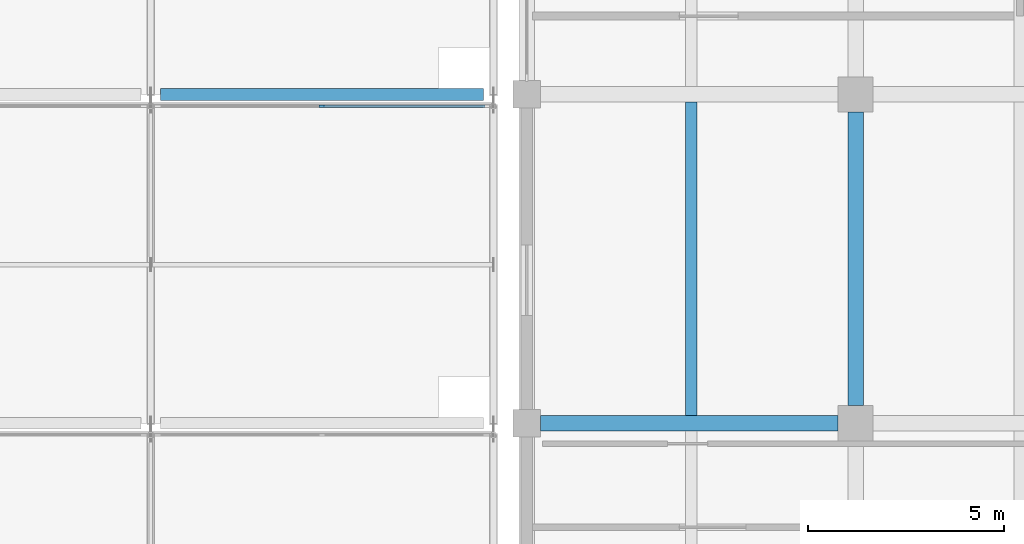
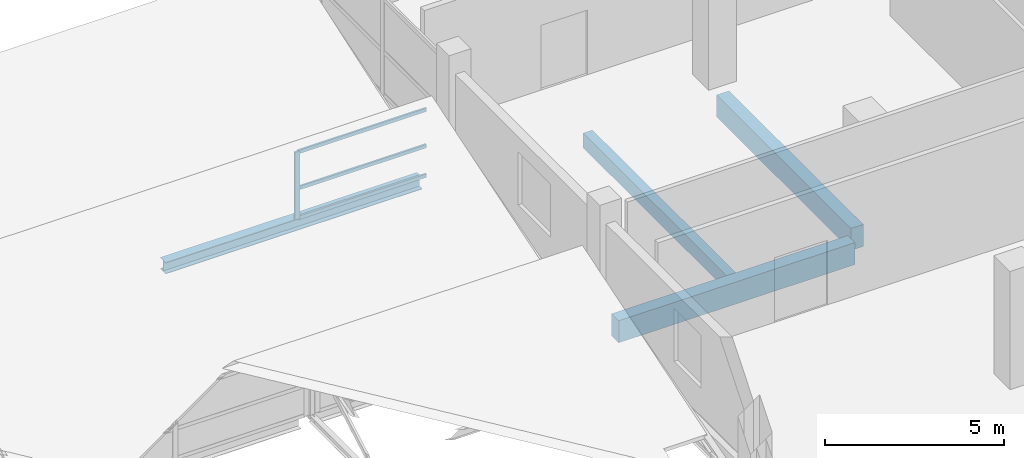
# One storey, part 23 of 40: 4 beams, 4 members, 1 element without a shape of its own.
"""IFC4 building model written with IfcOpenShell, lengths in metres."""

from ifc_helpers import new_model, si_unit, direction, frame, origin, origin_2d, place, context, subcontext, project, spatial, rectangle, i_section, extrude, material, material_profile, profile_set, type_object, element, aggregate, save


model = new_model("IFC4")

# Units and contexts
model_context = context("Model", 3, precision=1e-05, world=origin(), true_north=direction((0.0, 1.0)))
body_context = subcontext(model_context, "Body", "Model", "MODEL_VIEW")
ifc_project = project(units=[si_unit("LENGTHUNIT", "METRE"), si_unit("AREAUNIT", "SQUARE_METRE"), si_unit("VOLUMEUNIT", "CUBIC_METRE"), si_unit("PLANEANGLEUNIT", "RADIAN"), si_unit("MASSUNIT", "GRAM", prefix="KILO")], contexts=[model_context])

# Site, building, storey
site_placement = place(None, origin())
site = spatial("IfcSite", under=ifc_project, at=site_placement, CompositionType="ELEMENT")
building_placement = place(site_placement, origin())
building = spatial("IfcBuilding", under=site, at=building_placement, Name="Brinegate Botanical Conservatory", CompositionType="ELEMENT")
storey_placement = place(building_placement, frame((0.0, 0.0, 19.199951171875)))
storey = spatial("IfcBuildingStorey", under=building, at=storey_placement, Name="L05", CompositionType="ELEMENT", Elevation=19.199951171875)

# Beams
ifc_material_1 = material(Name="Structural steel Q355B / S355", Category="steel")
ifc_material_profile_1 = material_profile(ifc_material_1, i_section(OverallWidth=0.300048828125, OverallDepth=0.389892578125, WebThickness=0.010009765625, FlangeThickness=0.01611328125, at=origin_2d()), Name="HM 390x300x10x16")
ifc_profile_set_1 = profile_set([ifc_material_profile_1], Name="Structural steel Q355B / S355")
beam_type_1 = type_object("IfcBeamType", Name="Beam_BM-S5", PredefinedType="BEAM", material=ifc_profile_set_1)
beam_1_placement = place(storey_placement, frame((112.64990234375, 103.60009765625, -0.179931640625), z_axis=(1.0, 0.0, 0.0), x_axis=(0.0, 1.0, 0.0)))
element("IfcBeam", 1, at=beam_1_placement, inside=storey, type_object=beam_type_1, Name="Sawtooth valley girder BM-S5 B3.8", PredefinedType="BEAM", context=body_context, shape_type="SweptSolid", body=[
    extrude(i_section(OverallWidth=0.300048828125, OverallDepth=0.389892578125, WebThickness=0.010009765625, FlangeThickness=0.01611328125, at=origin_2d()), origin(), (0.0, 0.0, 1.0), 8.25),
])
ifc_material_2 = material(Name="Concrete C50/60", Category="concrete")
ifc_material_profile_2 = material_profile(ifc_material_2, rectangle(XDim=0.39990234375, YDim=0.75, at=origin_2d()), Name="RC BM 400x750")
ifc_profile_set_2 = profile_set([ifc_material_profile_2], Name="Concrete C50/60")
beam_type_2 = type_object("IfcBeamType", Name="Beam_BM-T1", PredefinedType="BEAM", material=ifc_profile_set_2)
beam_2_placement = place(storey_placement, frame((122.35009765625, 95.199951171875, -0.614990234375), z_axis=(1.0, 0.0, 0.0), x_axis=(0.0, 1.0, 0.0)))
element("IfcBeam", 2, at=beam_2_placement, inside=storey, type_object=beam_type_2, Name="Beam BM-T1 L05 M:16-17", PredefinedType="BEAM", context=body_context, shape_type="SweptSolid", body=[
    extrude(rectangle(XDim=0.39990234375, YDim=0.75, at=origin_2d()), origin(), (0.0, 0.0, 1.0), 7.599853515625),
])
beam_3_placement = place(storey_placement, frame((130.39990234375, 95.64990234375, -0.614990234375), z_axis=(0.0, 1.0, 0.0), x_axis=(-1.0, 0.0, 0.0)))
element("IfcBeam", 3, at=beam_3_placement, inside=storey, type_object=beam_type_2, Name="Beam BM-T1 L05 17:M-N", PredefinedType="BEAM", context=body_context, shape_type="SweptSolid", body=[
    extrude(rectangle(XDim=0.39990234375, YDim=0.75, at=origin_2d()), origin(), (0.0, 0.0, 1.0), 7.5),
])
ifc_material_3 = material(Name="Concrete C40/50", Category="concrete")
ifc_material_profile_3 = material_profile(ifc_material_3, rectangle(XDim=0.300048828125, YDim=0.5, at=origin_2d()), Name="RC JST 300x500")
ifc_profile_set_3 = profile_set([ifc_material_profile_3], Name="Concrete C40/50")
beam_type_3 = type_object("IfcBeamType", Name="Beam_JS-C2", PredefinedType="JOIST", material=ifc_profile_set_3)
beam_4_placement = place(storey_placement, frame((126.199951171875, 95.39990234375, -0.489990234375), z_axis=(0.0, 1.0, 0.0), x_axis=(-1.0, 0.0, 0.0)))
element("IfcBeam", 4, at=beam_4_placement, inside=storey, type_object=beam_type_3, Name="Floor joist JS-C2 L05 bay 16.12", PredefinedType="JOIST", context=body_context, shape_type="SweptSolid", body=[
    extrude(rectangle(XDim=0.300048828125, YDim=0.5, at=origin_2d()), origin(), (0.0, 0.0, 1.0), 8.0),
])

# Curtain wall, members
ifc_material_4 = material(Name="Thermally broken anodised aluminium AW-6063-T6", Category="aluminium")
curtain_wall_type = type_object("IfcCurtainWallType", Name="CW_CW-SAW", PredefinedType="USERDEFINED", material=ifc_material_4)
curtain_wall_placement = place(storey_placement, origin())
curtain_wall = element("IfcCurtainWall", 5, at=curtain_wall_placement, inside=storey, type_object=curtain_wall_type, Name="Sawtooth north-light clerestory B2.8", ObjectType="FACTORY CURTAIN WALL", PredefinedType="USERDEFINED")
ifc_material_profile_4 = material_profile(ifc_material_4, rectangle(XDim=0.06005859375, YDim=0.159912109375, at=origin_2d()), Name="ALUM MULLION 60x160")
ifc_profile_set_4 = profile_set([ifc_material_profile_4], Name="Thermally broken anodised aluminium AW-6063-T6")
member_type_1 = type_object("IfcMemberType", Name="Member_ML-01", PredefinedType="MULLION", material=ifc_profile_set_4)
member_1_placement = place(storey_placement, frame((116.77490234375, 103.300048828125, 0.150146484375), z_axis=(0.0, 0.0, 1.0), x_axis=(0.0, 1.0, 0.0)))
member_1 = element("IfcMember", 6, at=member_1_placement, type_object=member_type_1, Name="CW-SAW mullion 2", PredefinedType="MULLION", context=body_context, shape_type="SweptSolid", body=[
    extrude(rectangle(XDim=0.06005859375, YDim=0.159912109375, at=origin_2d()), origin(), (0.0, 0.0, 1.0), 2.2998046875),
])
ifc_material_profile_5 = material_profile(ifc_material_4, rectangle(XDim=0.06005859375, YDim=0.1201171875, at=origin_2d()), Name="ALUM TRANSOM 60x120")
ifc_profile_set_5 = profile_set([ifc_material_profile_5], Name="Thermally broken anodised aluminium AW-6063-T6")
member_type_2 = type_object("IfcMemberType", Name="Member_TR-01", PredefinedType="USERDEFINED", material=ifc_profile_set_5)
member_2_placement = place(storey_placement, frame((116.804931640625, 103.300048828125, 0.179931640625), z_axis=(1.0, 0.0, 0.0), x_axis=(0.0, 1.0, 0.0)))
member_2 = element("IfcMember", 7, at=member_2_placement, type_object=member_type_2, Name="CW-SAW transom 2.1", ObjectType="TRANSOM", PredefinedType="USERDEFINED", context=body_context, shape_type="SweptSolid", body=[
    extrude(rectangle(XDim=0.06005859375, YDim=0.1201171875, at=origin_2d()), origin(), (0.0, 0.0, 1.0), 4.135009765625),
])
member_3_placement = place(storey_placement, frame((116.804931640625, 103.300048828125, 1.18505859375), z_axis=(1.0, 0.0, 0.0), x_axis=(0.0, 1.0, 0.0)))
member_3 = element("IfcMember", 8, at=member_3_placement, type_object=member_type_2, Name="CW-SAW transom 2.2", ObjectType="TRANSOM", PredefinedType="USERDEFINED", context=body_context, shape_type="SweptSolid", body=[
    extrude(rectangle(XDim=0.06005859375, YDim=0.1201171875, at=origin_2d()), origin(), (0.0, 0.0, 1.0), 4.135009765625),
])
member_4_placement = place(storey_placement, frame((116.804931640625, 103.300048828125, 2.420166015625), z_axis=(1.0, 0.0, 0.0), x_axis=(0.0, 1.0, 0.0)))
member_4 = element("IfcMember", 9, at=member_4_placement, type_object=member_type_2, Name="CW-SAW transom 2.3", ObjectType="TRANSOM", PredefinedType="USERDEFINED", context=body_context, shape_type="SweptSolid", body=[
    extrude(rectangle(XDim=0.06005859375, YDim=0.1201171875, at=origin_2d()), origin(), (0.0, 0.0, 1.0), 4.135009765625),
])
aggregate(curtain_wall, [member_1, member_2, member_3, member_4])

save(model, "model.ifc")
